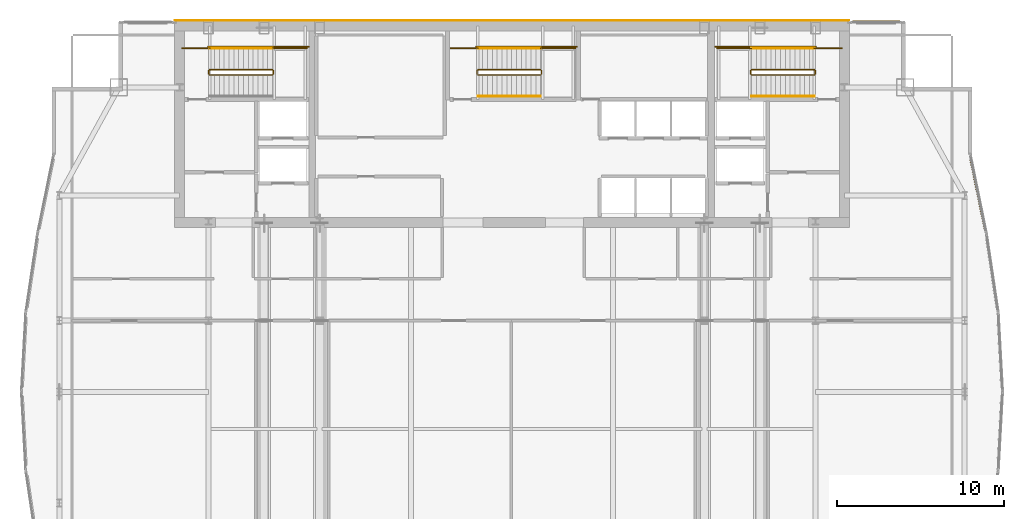
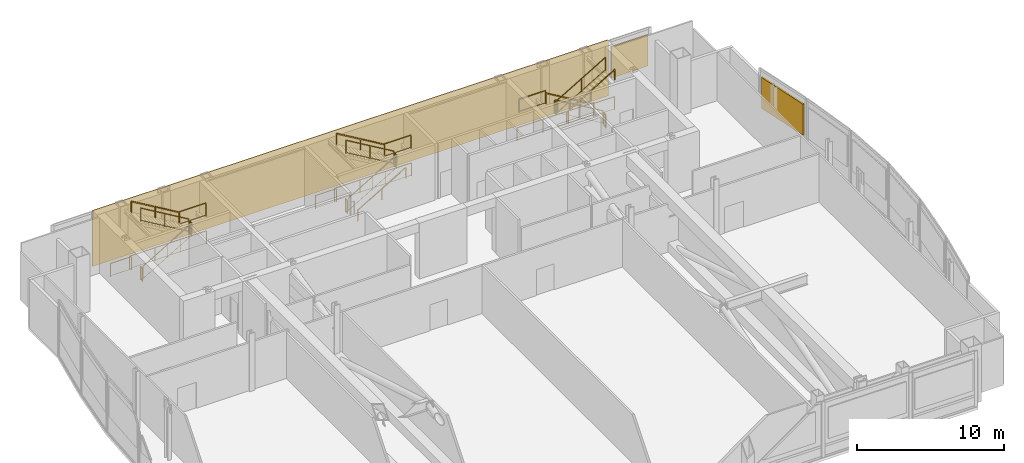
# One storey, part 32 of 32: 26 railings, 2 shading devices, 1 covering.
"""IFC4 building model written with IfcOpenShell, lengths in metres."""

import ifcopenshell
import ifcopenshell.guid

model = None  # the IFC model being written
_history = None  # IfcOwnerHistory: only IFC2X3 demands one
_inside = {}  # id of a spatial element -> (the spatial element, [elements in it])
_under = {}  # id of a project, library or spatial element -> (it, [spatial elements below it])
_declared = {}  # id of a project -> (the project, [libraries it declares])
_typed = {}  # id of a type object -> (the type object, [elements of that type])
_made_of = {}  # id of a material, layer set ... -> (it, [elements and type objects made of it])


def new_model(schema):
    """Start an empty IFC model of exactly this schema.

    Asked for "IFC4X3", IfcOpenShell would pick the latest addendum, in which some entities
    have other attributes; the version numbers below select the first issue.
    IFC2X3 requires an IfcOwnerHistory on every rooted entity: one is made here for all.
    """
    global model, _history
    if schema == "IFC4X3":
        model = ifcopenshell.file(schema_version=(4, 3, 0, 0))
    else:
        model = ifcopenshell.file(schema=schema)
    _inside.clear()
    _under.clear()
    _declared.clear()
    _typed.clear()
    _made_of.clear()
    _history = None
    if model.schema == "IFC2X3":
        org = make("IfcOrganization", Name="unknown")
        user = make(
            "IfcPersonAndOrganization",
            ThePerson=make("IfcPerson", FamilyName="unknown"),
            TheOrganization=org,
        )
        app = make(
            "IfcApplication",
            ApplicationDeveloper=org,
            Version="unknown",
            ApplicationFullName="unknown",
            ApplicationIdentifier="unknown",
        )
        _history = make(
            "IfcOwnerHistory",
            OwningUser=user,
            OwningApplication=app,
            ChangeAction="ADDED",
            CreationDate=0,
        )
    return model


def make(cls, **values):
    """One entity of the class cls with the attributes given. An attribute that is None is left unset."""
    return model.create_entity(
        cls, **{name: value for name, value in values.items() if value is not None}
    )


def rooted(cls, **values):
    """An entity with a GlobalId (a new one), such as an element, a storey or a relation."""
    return make(cls, GlobalId=ifcopenshell.guid.new(), OwnerHistory=_history, **values)


def si_unit(unit_type, name, prefix=None):
    """IfcSIUnit, for example si_unit("LENGTHUNIT", "METRE", prefix="MILLI")."""
    return make("IfcSIUnit", UnitType=unit_type, Prefix=prefix, Name=name)


def assignment(units):
    """IfcUnitAssignment: the units of a project."""
    return None if units is None else make("IfcUnitAssignment", Units=units)


def point(xyz):
    """IfcCartesianPoint."""
    return None if xyz is None else make("IfcCartesianPoint", Coordinates=xyz)


def direction(xyz):
    """IfcDirection."""
    return None if xyz is None else make("IfcDirection", DirectionRatios=xyz)


def frame(location, z_axis=None, x_axis=None):
    """IfcAxis2Placement3D, a coordinate frame: its origin and axes. An axis left out is left unset."""
    return make(
        "IfcAxis2Placement3D",
        Location=point(location),
        Axis=direction(z_axis),
        RefDirection=direction(x_axis),
    )


def frame_2d(location, x_axis=None):
    """IfcAxis2Placement2D, a coordinate frame in the plane: its origin and x axis."""
    return make(
        "IfcAxis2Placement2D", Location=point(location), RefDirection=direction(x_axis)
    )


def origin():
    """The frame at (0, 0, 0) with its axes left unset."""
    return frame((0.0, 0.0, 0.0))


def origin_2d():
    """The frame at (0, 0) in the plane with its x axis left unset."""
    return frame_2d((0.0, 0.0))


def place(relative_to, where):
    """IfcLocalPlacement: puts the frame where relative to a parent placement (None: the world)."""
    return make(
        "IfcLocalPlacement", PlacementRelTo=relative_to, RelativePlacement=where
    )


def context(
    kind, dimensions, precision=None, world=None, true_north=None, identifier=None
):
    """IfcGeometricRepresentationContext, for example the 3D "Model" context."""
    return make(
        "IfcGeometricRepresentationContext",
        ContextIdentifier=identifier,
        ContextType=kind,
        CoordinateSpaceDimension=dimensions,
        Precision=precision,
        WorldCoordinateSystem=world,
        TrueNorth=true_north,
    )


def subcontext(parent, identifier, kind, view, scale=None):
    """IfcGeometricRepresentationSubContext, for example "Body" below "Model"."""
    return make(
        "IfcGeometricRepresentationSubContext",
        ContextIdentifier=identifier,
        ContextType=kind,
        ParentContext=parent,
        TargetScale=scale,
        TargetView=view,
    )


def project(units=None, contexts=None):
    """IfcProject with its units and contexts."""
    return rooted(
        "IfcProject",
        Name="project",
        RepresentationContexts=contexts,
        UnitsInContext=assignment(units),
    )


def spatial(cls, under=None, at=None, **own):
    """A site, building, storey or space (cls), placed at a placement, below another one or the project."""
    s = rooted(cls, ObjectPlacement=at, **own)
    if under is not None:
        _under.setdefault(under.id(), (under, []))[1].append(s)
    return s


def polyline(points):
    """IfcPolyline through the points."""
    return make("IfcPolyline", Points=[point(p) for p in points])


def profile(cls, at=None, kind="AREA", **sizes):
    """A parametric profile (cls). Its sizes go by their IFC names, for example OverallWidth=200.0."""
    return make(cls, ProfileType=kind, Position=at, **sizes)


def rectangle(**sizes):
    """IfcRectangleProfileDef."""
    return profile("IfcRectangleProfileDef", **sizes)


def outline(outer, holes=None, kind="AREA"):
    """IfcArbitraryClosedProfileDef: a profile drawn as a closed curve; with holes, ...WithVoids."""
    if holes is None:
        return make("IfcArbitraryClosedProfileDef", ProfileType=kind, OuterCurve=outer)
    return make(
        "IfcArbitraryProfileDefWithVoids",
        ProfileType=kind,
        OuterCurve=outer,
        InnerCurves=holes,
    )


def extrude(swept, where, along, depth):
    """IfcExtrudedAreaSolid: the profile swept, set in the frame where, extruded along a direction by depth."""
    return make(
        "IfcExtrudedAreaSolid",
        SweptArea=swept,
        Position=where,
        ExtrudedDirection=direction(along),
        Depth=depth,
    )


def shape(context_of_items, identifier, shape_type, items):
    """IfcShapeRepresentation: the items that make up one representation, for example the "Body"."""
    return make(
        "IfcShapeRepresentation",
        ContextOfItems=context_of_items,
        RepresentationIdentifier=identifier,
        RepresentationType=shape_type,
        Items=items,
    )


def material(Name=None, Category=None):
    """IfcMaterial."""
    return make("IfcMaterial", Name=Name, Category=Category)


def layer(
    of_material, thickness, ventilated=None, Name=None, Category=None, Priority=None
):
    """IfcMaterialLayer: one layer of a wall or slab, of a material (None: an air gap)."""
    return make(
        "IfcMaterialLayer",
        Material=of_material,
        LayerThickness=thickness,
        IsVentilated=ventilated,
        Name=Name,
        Category=Category,
        Priority=Priority,
    )


def layer_set(layers, Name=None):
    """IfcMaterialLayerSet."""
    return make("IfcMaterialLayerSet", MaterialLayers=layers, LayerSetName=Name)


def made_of(thing, what):
    """Note that an element or type object is made of a material, layer set ...; save() writes the relation."""
    if what is not None:
        _made_of.setdefault(what.id(), (what, []))[1].append(thing)
    return thing


def type_object(cls, material=None, **own):
    """A type object (cls), such as IfcWallType, which elements share."""
    return made_of(rooted(cls, **own), material)


def element(
    cls,
    number,
    at=None,
    inside=None,
    cuts=None,
    type_object=None,
    material=None,
    context=None,
    identifier="Body",
    shape_type=None,
    held_by="IfcProductDefinitionShape",
    body=None,
    shapes=None,
    **own,
):
    """One element of the class cls, such as IfcWall. Its Tag is "e" and its number.

    at: its placement. inside: the storey or other place that contains it. cuts: it is an
    opening in that element (IfcRelVoidsElement). A single representation is given by context,
    identifier, shape_type and body (its items); several are given by shapes. held_by: the class
    of the entity that holds the representations. save() writes the other relations.
    """
    e = rooted(cls, Tag="e%d" % number, ObjectPlacement=at, **own)
    if body is not None:
        shapes = [shape(context, identifier, shape_type, body)]
    if shapes is not None:
        e.Representation = make(held_by, Representations=shapes)
    if inside is not None:
        _inside.setdefault(inside.id(), (inside, []))[1].append(e)
    if cuts is not None:
        rooted(
            "IfcRelVoidsElement", RelatingBuildingElement=cuts, RelatedOpeningElement=e
        )
    if type_object is not None:
        _typed.setdefault(type_object.id(), (type_object, []))[1].append(e)
    return made_of(e, material)


def aggregate(whole, parts):
    """IfcRelAggregates: a whole, such as a stair, and the parts it consists of."""
    return rooted("IfcRelAggregates", RelatingObject=whole, RelatedObjects=parts)


def save(model, path):
    """Write the relations noted so far, then the file.

    IfcRelAggregates (storeys below a building ...), IfcRelContainedInSpatialStructure (elements
    in a storey), IfcRelDefinesByType, IfcRelAssociatesMaterial and IfcRelDeclares: one each for
    every whole, place, type object, material and project.
    """
    for whole, parts in _under.values():
        aggregate(whole, parts)
    for where, things in _inside.values():
        rooted(
            "IfcRelContainedInSpatialStructure",
            RelatedElements=things,
            RelatingStructure=where,
        )
    for kind, things in _typed.values():
        rooted("IfcRelDefinesByType", RelatedObjects=things, RelatingType=kind)
    for what, things in _made_of.values():
        rooted("IfcRelAssociatesMaterial", RelatedObjects=things, RelatingMaterial=what)
    for by, libraries in _declared.values():
        rooted("IfcRelDeclares", RelatingContext=by, RelatedDefinitions=libraries)
    model.write(path)


model = new_model("IFC4")

# Units and contexts
model_context = context("Model", 3, precision=1e-05, world=origin(), true_north=direction((0.0, 1.0)))
body_context = subcontext(model_context, "Body", "Model", "MODEL_VIEW")
ifc_project = project(units=[si_unit("LENGTHUNIT", "METRE"), si_unit("AREAUNIT", "SQUARE_METRE"), si_unit("VOLUMEUNIT", "CUBIC_METRE"), si_unit("PLANEANGLEUNIT", "RADIAN"), si_unit("MASSUNIT", "GRAM", prefix="KILO")], contexts=[model_context])

# Site, building, storey
site_placement = place(None, origin())
site = spatial("IfcSite", under=ifc_project, at=site_placement, CompositionType="ELEMENT")
building_placement = place(site_placement, origin())
building = spatial("IfcBuilding", under=site, at=building_placement, Name="Khoronbel Lancet Exchange", CompositionType="ELEMENT")
storey_placement = place(building_placement, frame((0.0, 0.0, 257.0)))
storey = spatial("IfcBuildingStorey", under=building, at=storey_placement, Name="L66", CompositionType="ELEMENT", Elevation=257.0)

# Covering
ifc_material_1 = material(Name="Honed Egyptian Limestone & Bronze Rainscreen", Category="masonry")
ifc_layer_1 = layer(ifc_material_1, 0.050048828125, Name="Honed Egyptian Limestone & Bronze Rainscreen")
ifc_layer_set_1 = layer_set([ifc_layer_1], Name="Honed Egyptian Limestone & Bronze Rainscreen")
covering_type = type_object("IfcCoveringType", Name="COV-CLAD1", PredefinedType="CLADDING", material=ifc_layer_set_1)
covering_placement = place(storey_placement, origin())
element("IfcCovering", 1, at=covering_placement, inside=storey, type_object=covering_type, Name="Level L66 north rear-core stone and bronze rainscreen cladding", PredefinedType="CLADDING", context=body_context, shape_type="SweptSolid", body=[
    extrude(outline(polyline([(16.199951171875, 53.699951171875), (56.699951171875, 53.699951171875), (56.699951171875, 53.75), (16.199951171875, 53.75), (16.199951171875, 53.699951171875)])), origin(), (0.0, 0.0, 1.0), 4.639892578125),
])

# Railings
ifc_material_2 = material(Name="Painted Steel Balustrade", Category="steel")
railing_type_1 = type_object("IfcRailingType", Name="RL-STG110", PredefinedType="GUARDRAIL", material=ifc_material_2)
railing_1_placement = place(storey_placement, frame((18.300048828125, 50.449951171875, 0.17138671875)))
element("IfcRailing", 2, at=railing_1_placement, inside=storey, type_object=railing_type_1, Name="L66 ST1 stair guard 1", PredefinedType="GUARDRAIL", context=body_context, shape_type="SweptSolid", body=[
    extrude(rectangle(XDim=0.048095703125, YDim=0.048095703125, at=origin_2d()), frame((0.0, 0.0, 1.09619140625), z_axis=(0.860848830602, 0.0, 0.508860777473), x_axis=(0.0, 1.0, 0.0)), (0.0, 0.0, 1.0), 4.37939453125),
    extrude(rectangle(XDim=0.02392578125, YDim=0.02392578125, at=origin_2d()), frame((0.0, 0.0, 0.080078125), z_axis=(0.860848830602, 0.0, 0.508860777473), x_axis=(0.0, 1.0, 0.0)), (0.0, 0.0, 1.0), 4.37939453125),
    extrude(rectangle(XDim=0.0419921875, YDim=0.0419921875, at=origin_2d()), origin(), (0.0, 0.0, 1.0), 1.072021484375),
    extrude(rectangle(XDim=0.0419921875, YDim=0.0419921875, at=origin_2d()), frame((1.885009765625, 0.0, 1.1142578125)), (0.0, 0.0, 1.0), 1.072021484375),
    extrude(rectangle(XDim=0.0419921875, YDim=0.0419921875, at=origin_2d()), frame((3.77001953125, 0.0, 2.228515625)), (0.0, 0.0, 1.0), 1.072021484375),
])
railing_2_placement = place(storey_placement, frame((22.1201171875, 50.5, 2.39990234375)))
element("IfcRailing", 3, at=railing_2_placement, inside=storey, type_object=railing_type_1, Name="L66 ST1 stair guard 2", PredefinedType="GUARDRAIL", context=body_context, shape_type="SweptSolid", body=[
    extrude(rectangle(XDim=0.048095703125, YDim=0.048095703125, at=origin_2d()), frame((0.0, 0.0, 1.09619140625), z_axis=(0.0, 1.0, 0.0), x_axis=(-1.0, 0.0, 0.0)), (0.0, 0.0, 1.0), 0.219970703125),
    extrude(rectangle(XDim=0.02392578125, YDim=0.02392578125, at=origin_2d()), frame((0.0, 0.0, 0.080078125), z_axis=(0.0, 1.0, 0.0), x_axis=(-1.0, 0.0, 0.0)), (0.0, 0.0, 1.0), 0.219970703125),
    extrude(rectangle(XDim=0.0419921875, YDim=0.0419921875, at=origin_2d()), origin(), (0.0, 0.0, 1.0), 1.072021484375),
    extrude(rectangle(XDim=0.0419921875, YDim=0.0419921875, at=origin_2d()), frame((0.0, 0.219970703125, 0.0)), (0.0, 0.0, 1.0), 1.072021484375),
])
railing_3_placement = place(storey_placement, frame((22.070068359375, 52.050048828125, 2.39990234375)))
element("IfcRailing", 4, at=railing_3_placement, inside=storey, type_object=railing_type_1, Name="L66 ST1 stair guard 3", PredefinedType="GUARDRAIL", context=body_context, shape_type="SweptSolid", body=[
    extrude(rectangle(XDim=0.048095703125, YDim=0.048095703125, at=origin_2d()), frame((0.0, 0.0, 1.09619140625), z_axis=(1.0, 0.0, 0.0), x_axis=(0.0, 1.0, 0.0)), (0.0, 0.0, 1.0), 2.079833984375),
    extrude(rectangle(XDim=0.02392578125, YDim=0.02392578125, at=origin_2d()), frame((0.0, 0.0, 0.080078125), z_axis=(1.0, 0.0, 0.0), x_axis=(0.0, 1.0, 0.0)), (0.0, 0.0, 1.0), 2.079833984375),
    extrude(rectangle(XDim=0.0419921875, YDim=0.0419921875, at=origin_2d()), origin(), (0.0, 0.0, 1.0), 1.072021484375),
    extrude(rectangle(XDim=0.0419921875, YDim=0.0419921875, at=origin_2d()), frame((2.079833984375, 0.0, 0.0)), (0.0, 0.0, 1.0), 1.072021484375),
])
railing_4_placement = place(storey_placement, frame((22.070068359375, 50.77001953125, 2.571533203125)))
element("IfcRailing", 5, at=railing_4_placement, inside=storey, type_object=railing_type_1, Name="L66 ST1 stair guard 4", PredefinedType="GUARDRAIL", context=body_context, shape_type="SweptSolid", body=[
    extrude(rectangle(XDim=0.048095703125, YDim=0.048095703125, at=origin_2d()), frame((0.0, 0.0, 1.09619140625), z_axis=(-0.860848830602, 0.0, 0.508860777473), x_axis=(0.0, -1.0, 0.0)), (0.0, 0.0, 1.0), 4.37939453125),
    extrude(rectangle(XDim=0.02392578125, YDim=0.02392578125, at=origin_2d()), frame((0.0, 0.0, 0.080078125), z_axis=(-0.860848830602, 0.0, 0.508860777473), x_axis=(0.0, -1.0, 0.0)), (0.0, 0.0, 1.0), 4.37939453125),
    extrude(rectangle(XDim=0.0419921875, YDim=0.0419921875, at=origin_2d()), origin(), (0.0, 0.0, 1.0), 1.072021484375),
    extrude(rectangle(XDim=0.0419921875, YDim=0.0419921875, at=origin_2d()), frame((-1.885009765625, 0.0, 1.1142578125)), (0.0, 0.0, 1.0), 1.072021484375),
    extrude(rectangle(XDim=0.0419921875, YDim=0.0419921875, at=origin_2d()), frame((-3.77001953125, 0.0, 2.228515625)), (0.0, 0.0, 1.0), 1.072021484375),
])
railing_5_placement = place(storey_placement, frame((18.25, 50.5, 0.0)))
element("IfcRailing", 6, at=railing_5_placement, inside=storey, type_object=railing_type_1, Name="L66 ST1 stair guard 5", PredefinedType="GUARDRAIL", context=body_context, shape_type="SweptSolid", body=[
    extrude(rectangle(XDim=0.048095703125, YDim=0.048095703125, at=origin_2d()), frame((0.0, 0.0, 1.09619140625), z_axis=(0.0, 1.0, 0.0), x_axis=(-1.0, 0.0, 0.0)), (0.0, 0.0, 1.0), 0.219970703125),
    extrude(rectangle(XDim=0.02392578125, YDim=0.02392578125, at=origin_2d()), frame((0.0, 0.0, 0.080078125), z_axis=(0.0, 1.0, 0.0), x_axis=(-1.0, 0.0, 0.0)), (0.0, 0.0, 1.0), 0.219970703125),
    extrude(rectangle(XDim=0.0419921875, YDim=0.0419921875, at=origin_2d()), origin(), (0.0, 0.0, 1.0), 1.072021484375),
    extrude(rectangle(XDim=0.0419921875, YDim=0.0419921875, at=origin_2d()), frame((0.0, 0.219970703125, 0.0)), (0.0, 0.0, 1.0), 1.072021484375),
])
railing_6_placement = place(storey_placement, frame((16.64990234375, 52.050048828125, 0.0)))
element("IfcRailing", 7, at=railing_6_placement, inside=storey, type_object=railing_type_1, Name="L66 ST1 stair guard 6", PredefinedType="GUARDRAIL", context=body_context, shape_type="SweptSolid", body=[
    extrude(rectangle(XDim=0.048095703125, YDim=0.048095703125, at=origin_2d()), frame((0.0, 0.0, 1.09619140625), z_axis=(1.0, 0.0, 0.0), x_axis=(0.0, 1.0, 0.0)), (0.0, 0.0, 1.0), 1.650146484375),
    extrude(rectangle(XDim=0.02392578125, YDim=0.02392578125, at=origin_2d()), frame((0.0, 0.0, 0.080078125), z_axis=(1.0, 0.0, 0.0), x_axis=(0.0, 1.0, 0.0)), (0.0, 0.0, 1.0), 1.650146484375),
    extrude(rectangle(XDim=0.0419921875, YDim=0.0419921875, at=origin_2d()), origin(), (0.0, 0.0, 1.0), 1.072021484375),
    extrude(rectangle(XDim=0.0419921875, YDim=0.0419921875, at=origin_2d()), frame((1.650146484375, 0.0, 0.0)), (0.0, 0.0, 1.0), 1.072021484375),
])
railing_7_placement = place(storey_placement, frame((18.199951171875, 52.14990234375, 0.0)))
element("IfcRailing", 8, at=railing_7_placement, inside=storey, type_object=railing_type_1, Name="L66 ST1 stair guard 7", PredefinedType="GUARDRAIL", context=body_context, shape_type="SweptSolid", body=[
    extrude(rectangle(XDim=0.048095703125, YDim=0.048095703125, at=origin_2d()), frame((0.0, 0.0, 1.09619140625), z_axis=(1.0, 0.0, 0.0), x_axis=(0.0, 1.0, 0.0)), (0.0, 0.0, 1.0), 6.050048828125),
    extrude(rectangle(XDim=0.02392578125, YDim=0.02392578125, at=origin_2d()), frame((0.0, 0.0, 0.080078125), z_axis=(1.0, 0.0, 0.0), x_axis=(0.0, 1.0, 0.0)), (0.0, 0.0, 1.0), 6.050048828125),
    extrude(rectangle(XDim=0.0419921875, YDim=0.0419921875, at=origin_2d()), origin(), (0.0, 0.0, 1.0), 1.072021484375),
    extrude(rectangle(XDim=0.0419921875, YDim=0.0419921875, at=origin_2d()), frame((2.0166015625, 0.0, 0.0)), (0.0, 0.0, 1.0), 1.072021484375),
    extrude(rectangle(XDim=0.0419921875, YDim=0.0419921875, at=origin_2d()), frame((4.033447265625, 0.0, 0.0)), (0.0, 0.0, 1.0), 1.072021484375),
    extrude(rectangle(XDim=0.0419921875, YDim=0.0419921875, at=origin_2d()), frame((6.050048828125, 0.0, 0.0)), (0.0, 0.0, 1.0), 1.072021484375),
])
railing_8_placement = place(storey_placement, frame((54.60009765625, 50.77001953125, 0.17138671875)))
element("IfcRailing", 9, at=railing_8_placement, inside=storey, type_object=railing_type_1, Name="L66 ST2 stair guard 1", PredefinedType="GUARDRAIL", context=body_context, shape_type="SweptSolid", body=[
    extrude(rectangle(XDim=0.048095703125, YDim=0.048095703125, at=origin_2d()), frame((0.0, 0.0, 1.09619140625), z_axis=(-0.860848830602, 0.0, 0.508860777473), x_axis=(0.0, -1.0, 0.0)), (0.0, 0.0, 1.0), 4.37939453125),
    extrude(rectangle(XDim=0.02392578125, YDim=0.02392578125, at=origin_2d()), frame((0.0, 0.0, 0.080078125), z_axis=(-0.860848830602, 0.0, 0.508860777473), x_axis=(0.0, -1.0, 0.0)), (0.0, 0.0, 1.0), 4.37939453125),
    extrude(rectangle(XDim=0.0419921875, YDim=0.0419921875, at=origin_2d()), origin(), (0.0, 0.0, 1.0), 1.072021484375),
    extrude(rectangle(XDim=0.0419921875, YDim=0.0419921875, at=origin_2d()), frame((-1.885009765625, 0.0, 1.1142578125)), (0.0, 0.0, 1.0), 1.072021484375),
    extrude(rectangle(XDim=0.0419921875, YDim=0.0419921875, at=origin_2d()), frame((-3.77001953125, 0.0, 2.228515625)), (0.0, 0.0, 1.0), 1.072021484375),
])
railing_9_placement = place(storey_placement, frame((50.780029296875, 50.719970703125, 2.39990234375)))
element("IfcRailing", 10, at=railing_9_placement, inside=storey, type_object=railing_type_1, Name="L66 ST2 stair guard 2", PredefinedType="GUARDRAIL", context=body_context, shape_type="SweptSolid", body=[
    extrude(rectangle(XDim=0.048095703125, YDim=0.048095703125, at=origin_2d()), frame((0.0, 0.0, 1.09619140625), z_axis=(0.0, -1.0, 0.0), x_axis=(1.0, 0.0, 0.0)), (0.0, 0.0, 1.0), 0.219970703125),
    extrude(rectangle(XDim=0.02392578125, YDim=0.02392578125, at=origin_2d()), frame((0.0, 0.0, 0.080078125), z_axis=(0.0, -1.0, 0.0), x_axis=(1.0, 0.0, 0.0)), (0.0, 0.0, 1.0), 0.219970703125),
    extrude(rectangle(XDim=0.0419921875, YDim=0.0419921875, at=origin_2d()), origin(), (0.0, 0.0, 1.0), 1.072021484375),
    extrude(rectangle(XDim=0.0419921875, YDim=0.0419921875, at=origin_2d()), frame((0.0, -0.219970703125, 0.0)), (0.0, 0.0, 1.0), 1.072021484375),
])
railing_10_placement = place(storey_placement, frame((50.830078125, 52.050048828125, 2.39990234375)))
element("IfcRailing", 11, at=railing_10_placement, inside=storey, type_object=railing_type_1, Name="L66 ST2 stair guard 3", PredefinedType="GUARDRAIL", context=body_context, shape_type="SweptSolid", body=[
    extrude(rectangle(XDim=0.048095703125, YDim=0.048095703125, at=origin_2d()), frame((0.0, 0.0, 1.09619140625), z_axis=(-1.0, 0.0, 0.0), x_axis=(0.0, -1.0, 0.0)), (0.0, 0.0, 1.0), 2.080078125),
    extrude(rectangle(XDim=0.02392578125, YDim=0.02392578125, at=origin_2d()), frame((0.0, 0.0, 0.080078125), z_axis=(-1.0, 0.0, 0.0), x_axis=(0.0, -1.0, 0.0)), (0.0, 0.0, 1.0), 2.080078125),
    extrude(rectangle(XDim=0.0419921875, YDim=0.0419921875, at=origin_2d()), origin(), (0.0, 0.0, 1.0), 1.072021484375),
    extrude(rectangle(XDim=0.0419921875, YDim=0.0419921875, at=origin_2d()), frame((-2.080078125, 0.0, 0.0)), (0.0, 0.0, 1.0), 1.072021484375),
])
railing_11_placement = place(storey_placement, frame((50.830078125, 50.449951171875, 2.571533203125)))
element("IfcRailing", 12, at=railing_11_placement, inside=storey, type_object=railing_type_1, Name="L66 ST2 stair guard 4", PredefinedType="GUARDRAIL", context=body_context, shape_type="SweptSolid", body=[
    extrude(rectangle(XDim=0.048095703125, YDim=0.048095703125, at=origin_2d()), frame((0.0, 0.0, 1.09619140625), z_axis=(0.860848830602, 0.0, 0.508860777473), x_axis=(0.0, 1.0, 0.0)), (0.0, 0.0, 1.0), 4.37939453125),
    extrude(rectangle(XDim=0.02392578125, YDim=0.02392578125, at=origin_2d()), frame((0.0, 0.0, 0.080078125), z_axis=(0.860848830602, 0.0, 0.508860777473), x_axis=(0.0, 1.0, 0.0)), (0.0, 0.0, 1.0), 4.37939453125),
    extrude(rectangle(XDim=0.0419921875, YDim=0.0419921875, at=origin_2d()), origin(), (0.0, 0.0, 1.0), 1.072021484375),
    extrude(rectangle(XDim=0.0419921875, YDim=0.0419921875, at=origin_2d()), frame((1.885009765625, 0.0, 1.1142578125)), (0.0, 0.0, 1.0), 1.072021484375),
    extrude(rectangle(XDim=0.0419921875, YDim=0.0419921875, at=origin_2d()), frame((3.77001953125, 0.0, 2.228515625)), (0.0, 0.0, 1.0), 1.072021484375),
])
railing_12_placement = place(storey_placement, frame((54.64990234375, 50.719970703125, 0.0)))
element("IfcRailing", 13, at=railing_12_placement, inside=storey, type_object=railing_type_1, Name="L66 ST2 stair guard 5", PredefinedType="GUARDRAIL", context=body_context, shape_type="SweptSolid", body=[
    extrude(rectangle(XDim=0.048095703125, YDim=0.048095703125, at=origin_2d()), frame((0.0, 0.0, 1.09619140625), z_axis=(0.0, -1.0, 0.0), x_axis=(1.0, 0.0, 0.0)), (0.0, 0.0, 1.0), 0.219970703125),
    extrude(rectangle(XDim=0.02392578125, YDim=0.02392578125, at=origin_2d()), frame((0.0, 0.0, 0.080078125), z_axis=(0.0, -1.0, 0.0), x_axis=(1.0, 0.0, 0.0)), (0.0, 0.0, 1.0), 0.219970703125),
    extrude(rectangle(XDim=0.0419921875, YDim=0.0419921875, at=origin_2d()), origin(), (0.0, 0.0, 1.0), 1.072021484375),
    extrude(rectangle(XDim=0.0419921875, YDim=0.0419921875, at=origin_2d()), frame((0.0, -0.219970703125, 0.0)), (0.0, 0.0, 1.0), 1.072021484375),
])
railing_13_placement = place(storey_placement, frame((56.25, 52.050048828125, 0.0)))
element("IfcRailing", 14, at=railing_13_placement, inside=storey, type_object=railing_type_1, Name="L66 ST2 stair guard 6", PredefinedType="GUARDRAIL", context=body_context, shape_type="SweptSolid", body=[
    extrude(rectangle(XDim=0.048095703125, YDim=0.048095703125, at=origin_2d()), frame((0.0, 0.0, 1.09619140625), z_axis=(-1.0, 0.0, 0.0), x_axis=(0.0, -1.0, 0.0)), (0.0, 0.0, 1.0), 1.64990234375),
    extrude(rectangle(XDim=0.02392578125, YDim=0.02392578125, at=origin_2d()), frame((0.0, 0.0, 0.080078125), z_axis=(-1.0, 0.0, 0.0), x_axis=(0.0, -1.0, 0.0)), (0.0, 0.0, 1.0), 1.64990234375),
    extrude(rectangle(XDim=0.0419921875, YDim=0.0419921875, at=origin_2d()), origin(), (0.0, 0.0, 1.0), 1.072021484375),
    extrude(rectangle(XDim=0.0419921875, YDim=0.0419921875, at=origin_2d()), frame((-1.64990234375, 0.0, 0.0)), (0.0, 0.0, 1.0), 1.072021484375),
])
railing_14_placement = place(storey_placement, frame((54.699951171875, 52.14990234375, 0.0)))
element("IfcRailing", 15, at=railing_14_placement, inside=storey, type_object=railing_type_1, Name="L66 ST2 stair guard 7", PredefinedType="GUARDRAIL", context=body_context, shape_type="SweptSolid", body=[
    extrude(rectangle(XDim=0.048095703125, YDim=0.048095703125, at=origin_2d()), frame((0.0, 0.0, 1.09619140625), z_axis=(-1.0, 0.0, 0.0), x_axis=(0.0, -1.0, 0.0)), (0.0, 0.0, 1.0), 6.050048828125),
    extrude(rectangle(XDim=0.02392578125, YDim=0.02392578125, at=origin_2d()), frame((0.0, 0.0, 0.080078125), z_axis=(-1.0, 0.0, 0.0), x_axis=(0.0, -1.0, 0.0)), (0.0, 0.0, 1.0), 6.050048828125),
    extrude(rectangle(XDim=0.0419921875, YDim=0.0419921875, at=origin_2d()), origin(), (0.0, 0.0, 1.0), 1.072021484375),
    extrude(rectangle(XDim=0.0419921875, YDim=0.0419921875, at=origin_2d()), frame((-2.0166015625, 0.0, 0.0)), (0.0, 0.0, 1.0), 1.072021484375),
    extrude(rectangle(XDim=0.0419921875, YDim=0.0419921875, at=origin_2d()), frame((-4.033447265625, 0.0, 0.0)), (0.0, 0.0, 1.0), 1.072021484375),
    extrude(rectangle(XDim=0.0419921875, YDim=0.0419921875, at=origin_2d()), frame((-6.050048828125, 0.0, 0.0)), (0.0, 0.0, 1.0), 1.072021484375),
])
railing_15_placement = place(storey_placement, frame((34.39990234375, 50.449951171875, 0.17138671875)))
element("IfcRailing", 16, at=railing_15_placement, inside=storey, type_object=railing_type_1, Name="L66 ST3 stair guard 1", PredefinedType="GUARDRAIL", context=body_context, shape_type="SweptSolid", body=[
    extrude(rectangle(XDim=0.048095703125, YDim=0.048095703125, at=origin_2d()), frame((0.0, 0.0, 1.09619140625), z_axis=(0.860848830602, 0.0, 0.508860777473), x_axis=(0.0, 1.0, 0.0)), (0.0, 0.0, 1.0), 4.37939453125),
    extrude(rectangle(XDim=0.02392578125, YDim=0.02392578125, at=origin_2d()), frame((0.0, 0.0, 0.080078125), z_axis=(0.860848830602, 0.0, 0.508860777473), x_axis=(0.0, 1.0, 0.0)), (0.0, 0.0, 1.0), 4.37939453125),
    extrude(rectangle(XDim=0.0419921875, YDim=0.0419921875, at=origin_2d()), origin(), (0.0, 0.0, 1.0), 1.072021484375),
    extrude(rectangle(XDim=0.0419921875, YDim=0.0419921875, at=origin_2d()), frame((1.885009765625, 0.0, 1.1142578125)), (0.0, 0.0, 1.0), 1.072021484375),
    extrude(rectangle(XDim=0.0419921875, YDim=0.0419921875, at=origin_2d()), frame((3.77001953125, 0.0, 2.228515625)), (0.0, 0.0, 1.0), 1.072021484375),
])
railing_16_placement = place(storey_placement, frame((38.219970703125, 50.5, 2.39990234375)))
element("IfcRailing", 17, at=railing_16_placement, inside=storey, type_object=railing_type_1, Name="L66 ST3 stair guard 2", PredefinedType="GUARDRAIL", context=body_context, shape_type="SweptSolid", body=[
    extrude(rectangle(XDim=0.048095703125, YDim=0.048095703125, at=origin_2d()), frame((0.0, 0.0, 1.09619140625), z_axis=(0.0, 1.0, 0.0), x_axis=(-1.0, 0.0, 0.0)), (0.0, 0.0, 1.0), 0.219970703125),
    extrude(rectangle(XDim=0.02392578125, YDim=0.02392578125, at=origin_2d()), frame((0.0, 0.0, 0.080078125), z_axis=(0.0, 1.0, 0.0), x_axis=(-1.0, 0.0, 0.0)), (0.0, 0.0, 1.0), 0.219970703125),
    extrude(rectangle(XDim=0.0419921875, YDim=0.0419921875, at=origin_2d()), origin(), (0.0, 0.0, 1.0), 1.072021484375),
    extrude(rectangle(XDim=0.0419921875, YDim=0.0419921875, at=origin_2d()), frame((0.0, 0.219970703125, 0.0)), (0.0, 0.0, 1.0), 1.072021484375),
])
railing_17_placement = place(storey_placement, frame((38.169921875, 52.050048828125, 2.39990234375)))
element("IfcRailing", 18, at=railing_17_placement, inside=storey, type_object=railing_type_1, Name="L66 ST3 stair guard 3", PredefinedType="GUARDRAIL", context=body_context, shape_type="SweptSolid", body=[
    extrude(rectangle(XDim=0.048095703125, YDim=0.048095703125, at=origin_2d()), frame((0.0, 0.0, 1.09619140625), z_axis=(1.0, 0.0, 0.0), x_axis=(0.0, 1.0, 0.0)), (0.0, 0.0, 1.0), 2.080078125),
    extrude(rectangle(XDim=0.02392578125, YDim=0.02392578125, at=origin_2d()), frame((0.0, 0.0, 0.080078125), z_axis=(1.0, 0.0, 0.0), x_axis=(0.0, 1.0, 0.0)), (0.0, 0.0, 1.0), 2.080078125),
    extrude(rectangle(XDim=0.0419921875, YDim=0.0419921875, at=origin_2d()), origin(), (0.0, 0.0, 1.0), 1.072021484375),
    extrude(rectangle(XDim=0.0419921875, YDim=0.0419921875, at=origin_2d()), frame((2.080078125, 0.0, 0.0)), (0.0, 0.0, 1.0), 1.072021484375),
])
railing_18_placement = place(storey_placement, frame((38.169921875, 50.77001953125, 2.571533203125)))
element("IfcRailing", 19, at=railing_18_placement, inside=storey, type_object=railing_type_1, Name="L66 ST3 stair guard 4", PredefinedType="GUARDRAIL", context=body_context, shape_type="SweptSolid", body=[
    extrude(rectangle(XDim=0.048095703125, YDim=0.048095703125, at=origin_2d()), frame((0.0, 0.0, 1.09619140625), z_axis=(-0.860848830602, 0.0, 0.508860777473), x_axis=(0.0, -1.0, 0.0)), (0.0, 0.0, 1.0), 4.37939453125),
    extrude(rectangle(XDim=0.02392578125, YDim=0.02392578125, at=origin_2d()), frame((0.0, 0.0, 0.080078125), z_axis=(-0.860848830602, 0.0, 0.508860777473), x_axis=(0.0, -1.0, 0.0)), (0.0, 0.0, 1.0), 4.37939453125),
    extrude(rectangle(XDim=0.0419921875, YDim=0.0419921875, at=origin_2d()), origin(), (0.0, 0.0, 1.0), 1.072021484375),
    extrude(rectangle(XDim=0.0419921875, YDim=0.0419921875, at=origin_2d()), frame((-1.885009765625, 0.0, 1.1142578125)), (0.0, 0.0, 1.0), 1.072021484375),
    extrude(rectangle(XDim=0.0419921875, YDim=0.0419921875, at=origin_2d()), frame((-3.77001953125, 0.0, 2.228515625)), (0.0, 0.0, 1.0), 1.072021484375),
])
railing_19_placement = place(storey_placement, frame((34.35009765625, 50.5, 0.0)))
element("IfcRailing", 20, at=railing_19_placement, inside=storey, type_object=railing_type_1, Name="L66 ST3 stair guard 5", PredefinedType="GUARDRAIL", context=body_context, shape_type="SweptSolid", body=[
    extrude(rectangle(XDim=0.048095703125, YDim=0.048095703125, at=origin_2d()), frame((0.0, 0.0, 1.09619140625), z_axis=(0.0, 1.0, 0.0), x_axis=(-1.0, 0.0, 0.0)), (0.0, 0.0, 1.0), 0.219970703125),
    extrude(rectangle(XDim=0.02392578125, YDim=0.02392578125, at=origin_2d()), frame((0.0, 0.0, 0.080078125), z_axis=(0.0, 1.0, 0.0), x_axis=(-1.0, 0.0, 0.0)), (0.0, 0.0, 1.0), 0.219970703125),
    extrude(rectangle(XDim=0.0419921875, YDim=0.0419921875, at=origin_2d()), origin(), (0.0, 0.0, 1.0), 1.072021484375),
    extrude(rectangle(XDim=0.0419921875, YDim=0.0419921875, at=origin_2d()), frame((0.0, 0.219970703125, 0.0)), (0.0, 0.0, 1.0), 1.072021484375),
])
railing_20_placement = place(storey_placement, frame((32.75, 52.050048828125, 0.0)))
element("IfcRailing", 21, at=railing_20_placement, inside=storey, type_object=railing_type_1, Name="L66 ST3 stair guard 6", PredefinedType="GUARDRAIL", context=body_context, shape_type="SweptSolid", body=[
    extrude(rectangle(XDim=0.048095703125, YDim=0.048095703125, at=origin_2d()), frame((0.0, 0.0, 1.09619140625), z_axis=(1.0, 0.0, 0.0), x_axis=(0.0, 1.0, 0.0)), (0.0, 0.0, 1.0), 1.64990234375),
    extrude(rectangle(XDim=0.02392578125, YDim=0.02392578125, at=origin_2d()), frame((0.0, 0.0, 0.080078125), z_axis=(1.0, 0.0, 0.0), x_axis=(0.0, 1.0, 0.0)), (0.0, 0.0, 1.0), 1.64990234375),
    extrude(rectangle(XDim=0.0419921875, YDim=0.0419921875, at=origin_2d()), origin(), (0.0, 0.0, 1.0), 1.072021484375),
    extrude(rectangle(XDim=0.0419921875, YDim=0.0419921875, at=origin_2d()), frame((1.64990234375, 0.0, 0.0)), (0.0, 0.0, 1.0), 1.072021484375),
])
railing_21_placement = place(storey_placement, frame((34.300048828125, 52.14990234375, 0.0)))
element("IfcRailing", 22, at=railing_21_placement, inside=storey, type_object=railing_type_1, Name="L66 ST3 stair guard 7", PredefinedType="GUARDRAIL", context=body_context, shape_type="SweptSolid", body=[
    extrude(rectangle(XDim=0.048095703125, YDim=0.048095703125, at=origin_2d()), frame((0.0, 0.0, 1.09619140625), z_axis=(1.0, 0.0, 0.0), x_axis=(0.0, 1.0, 0.0)), (0.0, 0.0, 1.0), 6.050048828125),
    extrude(rectangle(XDim=0.02392578125, YDim=0.02392578125, at=origin_2d()), frame((0.0, 0.0, 0.080078125), z_axis=(1.0, 0.0, 0.0), x_axis=(0.0, 1.0, 0.0)), (0.0, 0.0, 1.0), 6.050048828125),
    extrude(rectangle(XDim=0.0419921875, YDim=0.0419921875, at=origin_2d()), origin(), (0.0, 0.0, 1.0), 1.072021484375),
    extrude(rectangle(XDim=0.0419921875, YDim=0.0419921875, at=origin_2d()), frame((2.0166015625, 0.0, 0.0)), (0.0, 0.0, 1.0), 1.072021484375),
    extrude(rectangle(XDim=0.0419921875, YDim=0.0419921875, at=origin_2d()), frame((4.033447265625, 0.0, 0.0)), (0.0, 0.0, 1.0), 1.072021484375),
    extrude(rectangle(XDim=0.0419921875, YDim=0.0419921875, at=origin_2d()), frame((6.050048828125, 0.0, 0.0)), (0.0, 0.0, 1.0), 1.072021484375),
])
ifc_material_3 = material(Name="Brushed Stainless Steel 316", Category="steel")
railing_type_2 = type_object("IfcRailingType", Name="RL-STH92", PredefinedType="HANDRAIL", material=ifc_material_3)
for number, where, name in (
    (23, (22.070068359375, 52.050048828125, 2.571533203125), "L66 ST1 stair handrail 2"),
    (24, (54.60009765625, 52.050048828125, 0.17138671875), "L66 ST2 stair handrail 1"),
):
    element("IfcRailing", number, at=place(storey_placement, frame(where)), inside=storey, type_object=railing_type_2, Name=name, PredefinedType="HANDRAIL", context=body_context, shape_type="SweptSolid", body=[
        extrude(rectangle(XDim=0.048095703125, YDim=0.048095703125, at=origin_2d()), frame((0.0, 0.0, 0.8759765625), z_axis=(-0.860848830602, 0.0, 0.508860777473), x_axis=(0.0, -1.0, 0.0)), (0.0, 0.0, 1.0), 4.37939453125),
        extrude(rectangle(XDim=0.0419921875, YDim=0.0419921875, at=origin_2d()), origin(), (0.0, 0.0, 1.0), 0.851806640625),
        extrude(rectangle(XDim=0.0419921875, YDim=0.0419921875, at=origin_2d()), frame((-1.885009765625, 0.0, 1.1142578125)), (0.0, 0.0, 1.0), 0.851806640625),
        extrude(rectangle(XDim=0.0419921875, YDim=0.0419921875, at=origin_2d()), frame((-3.77001953125, 0.0, 2.228515625)), (0.0, 0.0, 1.0), 0.851806640625),
    ])
for number, where, name in (
    (25, (50.830078125, 49.169921875, 2.571533203125), "L66 ST2 stair handrail 2"),
    (26, (34.39990234375, 49.169921875, 0.17138671875), "L66 ST3 stair handrail 1"),
):
    element("IfcRailing", number, at=place(storey_placement, frame(where)), inside=storey, type_object=railing_type_2, Name=name, PredefinedType="HANDRAIL", context=body_context, shape_type="SweptSolid", body=[
        extrude(rectangle(XDim=0.048095703125, YDim=0.048095703125, at=origin_2d()), frame((0.0, 0.0, 0.8759765625), z_axis=(0.860848830602, 0.0, 0.508860777473), x_axis=(0.0, 1.0, 0.0)), (0.0, 0.0, 1.0), 4.37939453125),
        extrude(rectangle(XDim=0.0419921875, YDim=0.0419921875, at=origin_2d()), origin(), (0.0, 0.0, 1.0), 0.851806640625),
        extrude(rectangle(XDim=0.0419921875, YDim=0.0419921875, at=origin_2d()), frame((1.885009765625, 0.0, 1.1142578125)), (0.0, 0.0, 1.0), 0.851806640625),
        extrude(rectangle(XDim=0.0419921875, YDim=0.0419921875, at=origin_2d()), frame((3.77001953125, 0.0, 2.228515625)), (0.0, 0.0, 1.0), 0.851806640625),
    ])
railing_22_placement = place(storey_placement, frame((38.169921875, 52.050048828125, 2.571533203125)))
element("IfcRailing", 27, at=railing_22_placement, inside=storey, type_object=railing_type_2, Name="L66 ST3 stair handrail 2", PredefinedType="HANDRAIL", context=body_context, shape_type="SweptSolid", body=[
    extrude(rectangle(XDim=0.048095703125, YDim=0.048095703125, at=origin_2d()), frame((0.0, 0.0, 0.8759765625), z_axis=(-0.860848830602, 0.0, 0.508860777473), x_axis=(0.0, -1.0, 0.0)), (0.0, 0.0, 1.0), 4.37939453125),
    extrude(rectangle(XDim=0.0419921875, YDim=0.0419921875, at=origin_2d()), origin(), (0.0, 0.0, 1.0), 0.851806640625),
    extrude(rectangle(XDim=0.0419921875, YDim=0.0419921875, at=origin_2d()), frame((-1.885009765625, 0.0, 1.1142578125)), (0.0, 0.0, 1.0), 0.851806640625),
    extrude(rectangle(XDim=0.0419921875, YDim=0.0419921875, at=origin_2d()), frame((-3.77001953125, 0.0, 2.228515625)), (0.0, 0.0, 1.0), 0.851806640625),
])

# Shading devices
ifc_material_4 = material(Name="Bronze-Anodised Aluminium 6063-T6", Category="aluminium")
ifc_layer_2 = layer(ifc_material_4, 0.1201171875, Name="Bronze-Anodised Aluminium 6063-T6")
ifc_layer_set_2 = layer_set([ifc_layer_2], Name="Bronze-Anodised Aluminium 6063-T6")
shading_device_type = type_object("IfcShadingDeviceType", Name="SHD-LVR1", PredefinedType="JALOUSIE", material=ifc_layer_set_2)
shading_device_1_placement = place(storey_placement, frame((58.320068359375, 53.64990234375, 1.47119140625), z_axis=(0.0, 0.0, 1.0), x_axis=(-1.0, 0.0, 0.0)))
element("IfcShadingDevice", 28, at=shading_device_1_placement, inside=storey, type_object=shading_device_type, Name="Sand-trap bronze acoustic louvre CW-L66-NEFLK-1", PredefinedType="JALOUSIE", context=body_context, shape_type="SweptSolid", body=[
    extrude(rectangle(XDim=2.87109375, YDim=0.1201171875, at=origin_2d()), origin(), (0.0, 0.0, 1.0), 2.57763671875),
])
shading_device_2_placement = place(storey_placement, frame((64.406494140625, 43.3046875, 1.47119140625), z_axis=(0.0, 0.0, 1.0), x_axis=(0.200052024611, -0.979785276195, 0.0)))
element("IfcShadingDevice", 29, at=shading_device_2_placement, inside=storey, type_object=shading_device_type, Name="Sand-trap bronze acoustic louvre CW-L66-E17-1", PredefinedType="JALOUSIE", context=body_context, shape_type="SweptSolid", body=[
    extrude(rectangle(XDim=4.288330078125, YDim=0.1201171875, at=origin_2d()), origin(), (0.0, 0.0, 1.0), 2.57763671875),
])

save(model, "model.ifc")
